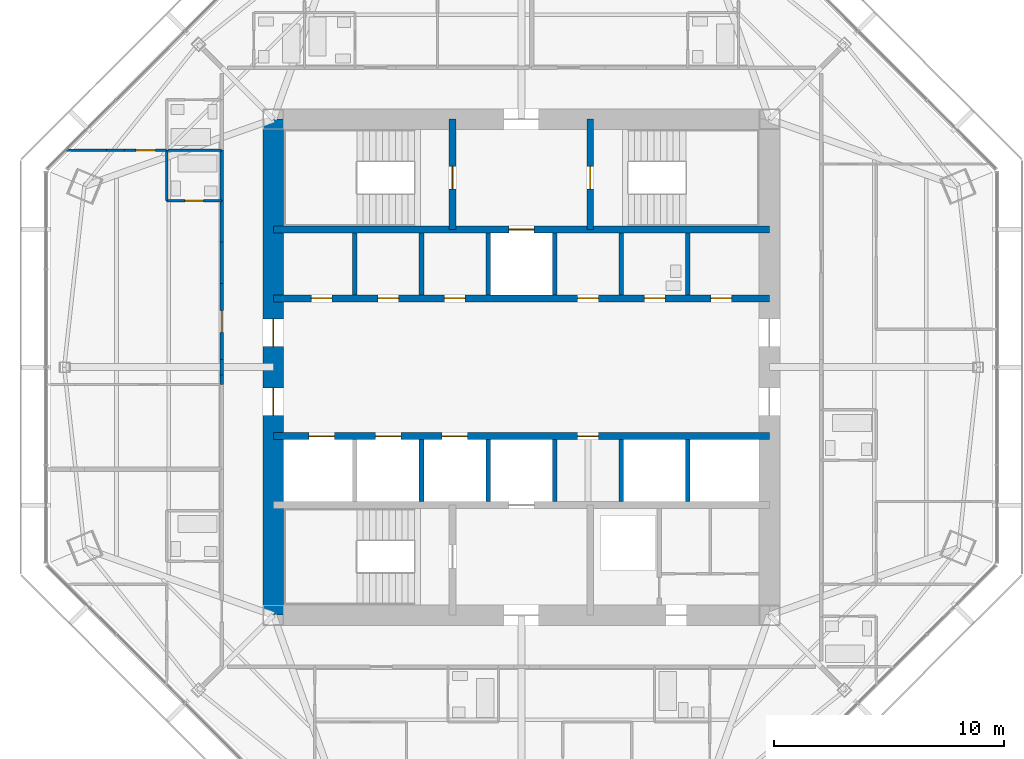
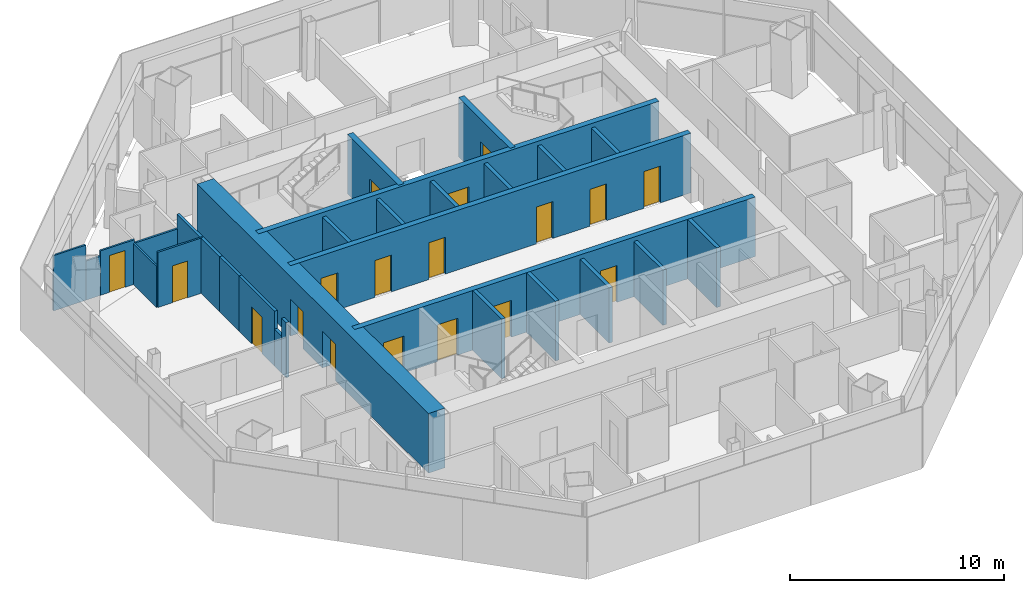
# One storey, part 10 of 15: 29 walls, 18 doors, 18 openings.
"""IFC4 building model written with IfcOpenShell, lengths in metres."""

from ifc_helpers import new_model, si_unit, direction, frame, frame_2d, origin, place, context, subcontext, project, spatial, rectangle, extrude, material, layer, layer_set, type_object, element, fill, save


model = new_model("IFC4")

# Units and contexts
model_context = context("Model", 3, precision=1e-05, world=origin(), true_north=direction((0.0, 1.0)))
body_context = subcontext(model_context, "Body", "Model", "MODEL_VIEW")
ifc_project = project(units=[si_unit("LENGTHUNIT", "METRE"), si_unit("AREAUNIT", "SQUARE_METRE"), si_unit("VOLUMEUNIT", "CUBIC_METRE"), si_unit("PLANEANGLEUNIT", "RADIAN"), si_unit("MASSUNIT", "GRAM", prefix="KILO")], contexts=[model_context])

# Site, building, storey
site_placement = place(None, origin())
site = spatial("IfcSite", under=ifc_project, at=site_placement, CompositionType="ELEMENT")
building_placement = place(site_placement, origin())
building = spatial("IfcBuilding", under=site, at=building_placement, Name="Mashrafa Tower", CompositionType="ELEMENT")
storey_placement = place(building_placement, frame((0.0, 0.0, 258.39990234375)))
storey = spatial("IfcBuildingStorey", under=building, at=storey_placement, Name="L62", CompositionType="ELEMENT", Elevation=258.39990234375)

# Wall, openings, doors
ifc_material_1 = material(Name="Concrete C50/60", Category="concrete")
ifc_layer_1 = layer(ifc_material_1, 0.300048828125)
ifc_layer_set_1 = layer_set([ifc_layer_1], Name="Core wall 300 C50/60")
wall_type_1 = type_object("IfcWallType", Name="Core wall 300 C50/60", PredefinedType="SOLIDWALL", material=ifc_layer_set_1)
wall_1_placement = place(storey_placement, frame((-10.800048828125, 3.0, 0.0), z_axis=(0.0, 0.0, 1.0), x_axis=(1.0, 0.0, 0.0)))
wall_1 = element("IfcWall", 1, at=wall_1_placement, inside=storey, type_object=wall_type_1, Name="Core wall CH-N L62", PredefinedType="SOLIDWALL", context=body_context, shape_type="SweptSolid", body=[
    extrude(rectangle(XDim=21.60009765625, YDim=0.300048828125, at=frame_2d((10.800048828125, 0.0))), origin(), (0.0, 0.0, 1.0), 3.400146484375),
])
opening_1_placement = place(wall_1_placement, frame((1.64990234375, 0.0, 0.0)))
opening_1 = element("IfcOpeningElement", 2, at=opening_1_placement, cuts=wall_1, Name="Opening 62.044", PredefinedType="OPENING", context=body_context, shape_type="SweptSolid", body=[
    extrude(rectangle(XDim=0.89990234375, YDim=2.10009765625, at=frame_2d((0.449951171875, 1.050048828125))), frame((0.0, 0.159912109375, 0.0), z_axis=(0.0, -1.0, 0.0), x_axis=(1.0, 0.0, 0.0)), (0.0, 0.0, 1.0), 0.320068359375),
])
opening_2_placement = place(wall_1_placement, frame((13.25, 0.0, 0.0)))
opening_2 = element("IfcOpeningElement", 3, at=opening_2_placement, cuts=wall_1, Name="Opening 62.045", PredefinedType="OPENING", context=body_context, shape_type="SweptSolid", body=[
    extrude(rectangle(XDim=0.89990234375, YDim=2.10009765625, at=frame_2d((0.449951171875, 1.050048828125))), frame((0.0, 0.159912109375, 0.0), z_axis=(0.0, -1.0, 0.0), x_axis=(1.0, 0.0, 0.0)), (0.0, 0.0, 1.0), 0.320068359375),
])
opening_3_placement = place(wall_1_placement, frame((16.14990234375, 0.0, 0.0)))
opening_3 = element("IfcOpeningElement", 4, at=opening_3_placement, cuts=wall_1, Name="Opening 62.046", PredefinedType="OPENING", context=body_context, shape_type="SweptSolid", body=[
    extrude(rectangle(XDim=0.89990234375, YDim=2.10009765625, at=frame_2d((0.449951171875, 1.050048828125))), frame((0.0, 0.159912109375, 0.0), z_axis=(0.0, -1.0, 0.0), x_axis=(1.0, 0.0, 0.0)), (0.0, 0.0, 1.0), 0.320068359375),
])
opening_4_placement = place(wall_1_placement, frame((4.550048828125, 0.0, 0.0)))
opening_4 = element("IfcOpeningElement", 5, at=opening_4_placement, cuts=wall_1, Name="Opening 62.048", PredefinedType="OPENING", context=body_context, shape_type="SweptSolid", body=[
    extrude(rectangle(XDim=0.89990234375, YDim=2.10009765625, at=frame_2d((0.449951171875, 1.050048828125))), frame((0.0, 0.159912109375, 0.0), z_axis=(0.0, -1.0, 0.0), x_axis=(1.0, 0.0, 0.0)), (0.0, 0.0, 1.0), 0.320068359375),
])
opening_5_placement = place(wall_1_placement, frame((7.449951171875, 0.0, 0.0)))
opening_5 = element("IfcOpeningElement", 6, at=opening_5_placement, cuts=wall_1, Name="Opening 62.049", PredefinedType="OPENING", context=body_context, shape_type="SweptSolid", body=[
    extrude(rectangle(XDim=0.89990234375, YDim=2.10009765625, at=frame_2d((0.449951171875, 1.050048828125))), frame((0.0, 0.159912109375, 0.0), z_axis=(0.0, -1.0, 0.0), x_axis=(1.0, 0.0, 0.0)), (0.0, 0.0, 1.0), 0.320068359375),
])
opening_6_placement = place(wall_1_placement, frame((19.050048828125, 0.0, 0.0)))
opening_6 = element("IfcOpeningElement", 7, at=opening_6_placement, cuts=wall_1, Name="Opening 62.050", PredefinedType="OPENING", context=body_context, shape_type="SweptSolid", body=[
    extrude(rectangle(XDim=0.89990234375, YDim=2.10009765625, at=frame_2d((0.449951171875, 1.050048828125))), frame((0.0, 0.159912109375, 0.0), z_axis=(0.0, -1.0, 0.0), x_axis=(1.0, 0.0, 0.0)), (0.0, 0.0, 1.0), 0.320068359375),
])
ifc_material_2 = material(Name="Timber door", Category="wood")
door_type_1 = type_object("IfcDoorType", Name="Store door 900 x 2100", OperationType="USERDEFINED", PredefinedType="DOOR", material=ifc_material_2)
door_1_placement = place(opening_1_placement, origin())
door_1 = element("IfcDoor", 8, at=door_1_placement, inside=storey, type_object=door_type_1, Name="Refuse Chute Room L62 door", OperationType="SINGLE_SWING_RIGHT", OverallHeight=2.10009765625, OverallWidth=0.89990234375, PredefinedType="DOOR", context=body_context, shape_type="SweptSolid", body=[
    extrude(rectangle(XDim=0.89990234375, YDim=2.10009765625, at=frame_2d((0.449951171875, 1.050048828125))), frame((0.0, 0.02490234375, 0.0), z_axis=(0.0, -1.0, 0.0), x_axis=(1.0, 0.0, 0.0)), (0.0, 0.0, 1.0), 0.050048828125),
])
fill(opening_1, door_1)
door_2_placement = place(opening_2_placement, origin())
door_2 = element("IfcDoor", 9, at=door_2_placement, inside=storey, type_object=door_type_1, Name="Cleaner's Store L62 door", OperationType="SINGLE_SWING_LEFT", OverallHeight=2.10009765625, OverallWidth=0.89990234375, PredefinedType="DOOR", context=body_context, shape_type="SweptSolid", body=[
    extrude(rectangle(XDim=0.89990234375, YDim=2.10009765625, at=frame_2d((0.449951171875, 1.050048828125))), frame((0.0, 0.02490234375, 0.0), z_axis=(0.0, -1.0, 0.0), x_axis=(1.0, 0.0, 0.0)), (0.0, 0.0, 1.0), 0.050048828125),
])
fill(opening_2, door_2)
door_3_placement = place(opening_4_placement, origin())
door_3 = element("IfcDoor", 10, at=door_3_placement, inside=storey, type_object=door_type_1, Name="Residents' Store L62-A2 door", OperationType="SINGLE_SWING_LEFT", OverallHeight=2.10009765625, OverallWidth=0.89990234375, PredefinedType="DOOR", context=body_context, shape_type="SweptSolid", body=[
    extrude(rectangle(XDim=0.89990234375, YDim=2.10009765625, at=frame_2d((0.449951171875, 1.050048828125))), frame((0.0, 0.02490234375, 0.0), z_axis=(0.0, -1.0, 0.0), x_axis=(1.0, 0.0, 0.0)), (0.0, 0.0, 1.0), 0.050048828125),
])
fill(opening_4, door_3)
door_4_placement = place(opening_5_placement, origin())
door_4 = element("IfcDoor", 11, at=door_4_placement, inside=storey, type_object=door_type_1, Name="Residents' Store L62-A3 door", OperationType="SINGLE_SWING_LEFT", OverallHeight=2.10009765625, OverallWidth=0.89990234375, PredefinedType="DOOR", context=body_context, shape_type="SweptSolid", body=[
    extrude(rectangle(XDim=0.89990234375, YDim=2.10009765625, at=frame_2d((0.449951171875, 1.050048828125))), frame((0.0, 0.02490234375, 0.0), z_axis=(0.0, -1.0, 0.0), x_axis=(1.0, 0.0, 0.0)), (0.0, 0.0, 1.0), 0.050048828125),
])
fill(opening_5, door_4)
door_5_placement = place(opening_6_placement, origin())
door_5 = element("IfcDoor", 12, at=door_5_placement, inside=storey, type_object=door_type_1, Name="Residents' Store L62-K2 door", OperationType="SINGLE_SWING_LEFT", OverallHeight=2.10009765625, OverallWidth=0.89990234375, PredefinedType="DOOR", context=body_context, shape_type="SweptSolid", body=[
    extrude(rectangle(XDim=0.89990234375, YDim=2.10009765625, at=frame_2d((0.449951171875, 1.050048828125))), frame((0.0, 0.02490234375, 0.0), z_axis=(0.0, -1.0, 0.0), x_axis=(1.0, 0.0, 0.0)), (0.0, 0.0, 1.0), 0.050048828125),
])
fill(opening_6, door_5)
ifc_material_3 = material(Name="Timber door", Category="wood")
door_type_2 = type_object("IfcDoorType", Name="Toilet door 900 x 2100", OperationType="USERDEFINED", PredefinedType="DOOR", material=ifc_material_3)
door_6_placement = place(opening_3_placement, origin())
door_6 = element("IfcDoor", 13, at=door_6_placement, inside=storey, type_object=door_type_2, Name="Staff WC L62 door", OperationType="SINGLE_SWING_LEFT", OverallHeight=2.10009765625, OverallWidth=0.89990234375, PredefinedType="DOOR", context=body_context, shape_type="SweptSolid", body=[
    extrude(rectangle(XDim=0.89990234375, YDim=2.10009765625, at=frame_2d((0.449951171875, 1.050048828125))), frame((0.0, 0.02490234375, 0.0), z_axis=(0.0, -1.0, 0.0), x_axis=(1.0, 0.0, 0.0)), (0.0, 0.0, 1.0), 0.050048828125),
])
fill(opening_3, door_6)

# Wall, opening, door
wall_2_placement = place(storey_placement, frame((-10.800048828125, 6.0, 0.0), z_axis=(0.0, 0.0, 1.0), x_axis=(1.0, 0.0, 0.0)))
wall_2 = element("IfcWall", 14, at=wall_2_placement, inside=storey, type_object=wall_type_1, Name="Core wall CB-N L62", PredefinedType="SOLIDWALL", context=body_context, shape_type="SweptSolid", body=[
    extrude(rectangle(XDim=21.60009765625, YDim=0.300048828125, at=frame_2d((10.800048828125, 0.0))), origin(), (0.0, 0.0, 1.0), 3.400146484375),
])
opening_7_placement = place(wall_2_placement, frame((10.25, 0.0, 0.0)))
opening_7 = element("IfcOpeningElement", 15, at=opening_7_placement, cuts=wall_2, Name="Opening 62.F1", PredefinedType="OPENING", context=body_context, shape_type="SweptSolid", body=[
    extrude(rectangle(XDim=1.10009765625, YDim=2.10009765625, at=frame_2d((0.550048828125, 1.050048828125))), frame((0.0, 0.159912109375, 0.0), z_axis=(0.0, -1.0, 0.0), x_axis=(1.0, 0.0, 0.0)), (0.0, 0.0, 1.0), 0.320068359375),
])
ifc_material_4 = material(Name="Steel door", Category="steel")
door_type_3 = type_object("IfcDoorType", Name="Lift landing door 1100 x 2100 90 min", OperationType="DOUBLE_DOOR_SLIDING", PredefinedType="DOOR", material=ifc_material_4)
door_7_placement = place(opening_7_placement, origin())
door_7 = element("IfcDoor", 16, at=door_7_placement, inside=storey, type_object=door_type_3, Name="Lift landing door F1 L62", OperationType="DOUBLE_DOOR_SLIDING", OverallHeight=2.10009765625, OverallWidth=1.10009765625, PredefinedType="DOOR", context=body_context, shape_type="SweptSolid", body=[
    extrude(rectangle(XDim=1.10009765625, YDim=2.10009765625, at=frame_2d((0.550048828125, 1.050048828125))), frame((0.0, 0.02490234375, 0.0), z_axis=(0.0, -1.0, 0.0), x_axis=(1.0, 0.0, 0.0)), (0.0, 0.0, 1.0), 0.050048828125),
])
fill(opening_7, door_7)

wall_3_placement = place(storey_placement, frame((-3.0, 6.0, 0.0), z_axis=(0.0, 0.0, 1.0), x_axis=(0.0, 1.0, 0.0)))
wall_3 = element("IfcWall", 17, at=wall_3_placement, inside=storey, type_object=wall_type_1, Name="Core wall CX-NW L62", PredefinedType="SOLIDWALL", context=body_context, shape_type="SweptSolid", body=[
    extrude(rectangle(XDim=4.800048828125, YDim=0.300048828125, at=frame_2d((2.39990234375, 0.0))), origin(), (0.0, 0.0, 1.0), 3.400146484375),
])
opening_8_placement = place(wall_3_placement, frame((1.75, 0.0, 0.0)))
opening_8 = element("IfcOpeningElement", 18, at=opening_8_placement, cuts=wall_3, Name="Opening 62.037", PredefinedType="OPENING", context=body_context, shape_type="SweptSolid", body=[
    extrude(rectangle(XDim=1.0, YDim=2.10009765625, at=frame_2d((0.5, 1.050048828125))), frame((0.0, 0.159912109375, 0.0), z_axis=(0.0, -1.0, 0.0), x_axis=(1.0, 0.0, 0.0)), (0.0, 0.0, 1.0), 0.320068359375),
])
ifc_material_5 = material(Name="Steel door", Category="steel")
door_type_4 = type_object("IfcDoorType", Name="Stair door 1000 x 2100 90 min", OperationType="USERDEFINED", PredefinedType="DOOR", material=ifc_material_5)
door_8_placement = place(opening_8_placement, origin())
door_8 = element("IfcDoor", 19, at=door_8_placement, inside=storey, type_object=door_type_4, Name="Stair S1 door L62", OperationType="SINGLE_SWING_LEFT", OverallHeight=2.10009765625, OverallWidth=1.0, PredefinedType="DOOR", context=body_context, shape_type="SweptSolid", body=[
    extrude(rectangle(XDim=1.0, YDim=2.10009765625, at=frame_2d((0.5, 1.050048828125))), frame((0.0, 0.02490234375, 0.0), z_axis=(0.0, -1.0, 0.0), x_axis=(1.0, 0.0, 0.0)), (0.0, 0.0, 1.0), 0.050048828125),
])
fill(opening_8, door_8)

wall_4_placement = place(storey_placement, frame((3.0, 6.0, 0.0), z_axis=(0.0, 0.0, 1.0), x_axis=(0.0, 1.0, 0.0)))
wall_4 = element("IfcWall", 20, at=wall_4_placement, inside=storey, type_object=wall_type_1, Name="Core wall CX-NE L62", PredefinedType="SOLIDWALL", context=body_context, shape_type="SweptSolid", body=[
    extrude(rectangle(XDim=4.800048828125, YDim=0.300048828125, at=frame_2d((2.39990234375, 0.0))), origin(), (0.0, 0.0, 1.0), 3.400146484375),
])
opening_9_placement = place(wall_4_placement, frame((1.75, 0.0, 0.0)))
opening_9 = element("IfcOpeningElement", 21, at=opening_9_placement, cuts=wall_4, Name="Opening 62.038", PredefinedType="OPENING", context=body_context, shape_type="SweptSolid", body=[
    extrude(rectangle(XDim=1.0, YDim=2.10009765625, at=frame_2d((0.5, 1.050048828125))), frame((0.0, 0.159912109375, 0.0), z_axis=(0.0, -1.0, 0.0), x_axis=(1.0, 0.0, 0.0)), (0.0, 0.0, 1.0), 0.320068359375),
])
door_9_placement = place(opening_9_placement, frame((1.0, 0.0, 0.0), z_axis=(0.0, 0.0, 1.0), x_axis=(-1.0, 0.0, 0.0)))
door_9 = element("IfcDoor", 22, at=door_9_placement, inside=storey, type_object=door_type_4, Name="Stair S2 door L62", OperationType="SINGLE_SWING_RIGHT", OverallHeight=2.10009765625, OverallWidth=1.0, PredefinedType="DOOR", context=body_context, shape_type="SweptSolid", body=[
    extrude(rectangle(XDim=1.0, YDim=2.10009765625, at=frame_2d((0.5, 1.050048828125))), frame((0.0, 0.02490234375, 0.0), z_axis=(0.0, -1.0, 0.0), x_axis=(1.0, 0.0, 0.0)), (0.0, 0.0, 1.0), 0.050048828125),
])
fill(opening_9, door_9)

# Wall, openings, doors
wall_5_placement = place(storey_placement, frame((-10.800048828125, -3.0, 0.0), z_axis=(0.0, 0.0, 1.0), x_axis=(1.0, 0.0, 0.0)))
wall_5 = element("IfcWall", 23, at=wall_5_placement, inside=storey, type_object=wall_type_1, Name="Core wall CH-S L62", PredefinedType="SOLIDWALL", context=body_context, shape_type="SweptSolid", body=[
    extrude(rectangle(XDim=21.60009765625, YDim=0.300048828125, at=frame_2d((10.800048828125, 0.0))), origin(), (0.0, 0.0, 1.0), 3.400146484375),
])
opening_10_placement = place(wall_5_placement, frame((13.25, 0.0, 0.0)))
opening_10 = element("IfcOpeningElement", 24, at=opening_10_placement, cuts=wall_5, Name="Opening 62.047", PredefinedType="OPENING", context=body_context, shape_type="SweptSolid", body=[
    extrude(rectangle(XDim=0.89990234375, YDim=2.10009765625, at=frame_2d((0.449951171875, 1.050048828125))), frame((0.0, 0.159912109375, 0.0), z_axis=(0.0, -1.0, 0.0), x_axis=(1.0, 0.0, 0.0)), (0.0, 0.0, 1.0), 0.320068359375),
])
opening_11_placement = place(wall_5_placement, frame((1.550048828125, 0.0, 0.0)))
opening_11 = element("IfcOpeningElement", 25, at=opening_11_placement, cuts=wall_5, Name="Opening 62.AL1", PredefinedType="OPENING", context=body_context, shape_type="SweptSolid", body=[
    extrude(rectangle(XDim=1.10009765625, YDim=2.10009765625, at=frame_2d((0.550048828125, 1.050048828125))), frame((0.0, 0.159912109375, 0.0), z_axis=(0.0, -1.0, 0.0), x_axis=(1.0, 0.0, 0.0)), (0.0, 0.0, 1.0), 0.320068359375),
])
opening_12_placement = place(wall_5_placement, frame((4.449951171875, 0.0, 0.0)))
opening_12 = element("IfcOpeningElement", 26, at=opening_12_placement, cuts=wall_5, Name="Opening 62.AL2", PredefinedType="OPENING", context=body_context, shape_type="SweptSolid", body=[
    extrude(rectangle(XDim=1.10009765625, YDim=2.10009765625, at=frame_2d((0.550048828125, 1.050048828125))), frame((0.0, 0.159912109375, 0.0), z_axis=(0.0, -1.0, 0.0), x_axis=(1.0, 0.0, 0.0)), (0.0, 0.0, 1.0), 0.320068359375),
])
opening_13_placement = place(wall_5_placement, frame((7.35009765625, 0.0, 0.0)))
opening_13 = element("IfcOpeningElement", 27, at=opening_13_placement, cuts=wall_5, Name="Opening 62.AL3", PredefinedType="OPENING", context=body_context, shape_type="SweptSolid", body=[
    extrude(rectangle(XDim=1.10009765625, YDim=2.10009765625, at=frame_2d((0.550048828125, 1.050048828125))), frame((0.0, 0.159912109375, 0.0), z_axis=(0.0, -1.0, 0.0), x_axis=(1.0, 0.0, 0.0)), (0.0, 0.0, 1.0), 0.320068359375),
])
door_10_placement = place(opening_11_placement, origin())
door_10 = element("IfcDoor", 28, at=door_10_placement, inside=storey, type_object=door_type_3, Name="Lift landing door AL1 L62", OperationType="DOUBLE_DOOR_SLIDING", OverallHeight=2.10009765625, OverallWidth=1.10009765625, PredefinedType="DOOR", context=body_context, shape_type="SweptSolid", body=[
    extrude(rectangle(XDim=1.10009765625, YDim=2.10009765625, at=frame_2d((0.550048828125, 1.050048828125))), frame((0.0, 0.02490234375, 0.0), z_axis=(0.0, -1.0, 0.0), x_axis=(1.0, 0.0, 0.0)), (0.0, 0.0, 1.0), 0.050048828125),
])
fill(opening_11, door_10)
door_11_placement = place(opening_12_placement, origin())
door_11 = element("IfcDoor", 29, at=door_11_placement, inside=storey, type_object=door_type_3, Name="Lift landing door AL2 L62", OperationType="DOUBLE_DOOR_SLIDING", OverallHeight=2.10009765625, OverallWidth=1.10009765625, PredefinedType="DOOR", context=body_context, shape_type="SweptSolid", body=[
    extrude(rectangle(XDim=1.10009765625, YDim=2.10009765625, at=frame_2d((0.550048828125, 1.050048828125))), frame((0.0, 0.02490234375, 0.0), z_axis=(0.0, -1.0, 0.0), x_axis=(1.0, 0.0, 0.0)), (0.0, 0.0, 1.0), 0.050048828125),
])
fill(opening_12, door_11)
door_12_placement = place(opening_13_placement, origin())
door_12 = element("IfcDoor", 30, at=door_12_placement, inside=storey, type_object=door_type_3, Name="Lift landing door AL3 L62", OperationType="DOUBLE_DOOR_SLIDING", OverallHeight=2.10009765625, OverallWidth=1.10009765625, PredefinedType="DOOR", context=body_context, shape_type="SweptSolid", body=[
    extrude(rectangle(XDim=1.10009765625, YDim=2.10009765625, at=frame_2d((0.550048828125, 1.050048828125))), frame((0.0, 0.02490234375, 0.0), z_axis=(0.0, -1.0, 0.0), x_axis=(1.0, 0.0, 0.0)), (0.0, 0.0, 1.0), 0.050048828125),
])
fill(opening_13, door_12)
door_13_placement = place(opening_10_placement, frame((0.89990234375, 0.0, 0.0), z_axis=(0.0, 0.0, 1.0), x_axis=(-1.0, 0.0, 0.0)))
door_13 = element("IfcDoor", 31, at=door_13_placement, inside=storey, type_object=door_type_1, Name="Linen Store L62 door", OperationType="SINGLE_SWING_RIGHT", OverallHeight=2.10009765625, OverallWidth=0.89990234375, PredefinedType="DOOR", context=body_context, shape_type="SweptSolid", body=[
    extrude(rectangle(XDim=0.89990234375, YDim=2.10009765625, at=frame_2d((0.449951171875, 1.050048828125))), frame((0.0, 0.02490234375, 0.0), z_axis=(0.0, -1.0, 0.0), x_axis=(1.0, 0.0, 0.0)), (0.0, 0.0, 1.0), 0.050048828125),
])
fill(opening_10, door_13)

ifc_material_6 = material(Name="Concrete C50/60", Category="concrete")
ifc_layer_2 = layer(ifc_material_6, 0.89990234375)
ifc_layer_set_2 = layer_set([ifc_layer_2], Name="Core wall 900 C50/60")
wall_type_2 = type_object("IfcWallType", Name="Core wall 900 C50/60", PredefinedType="SOLIDWALL", material=ifc_layer_set_2)
wall_6_placement = place(storey_placement, frame((-10.800048828125, 10.800048828125, 0.0), z_axis=(0.0, 0.0, 1.0), x_axis=(0.0, -1.0, 0.0)))
wall_6 = element("IfcWall", 32, at=wall_6_placement, inside=storey, type_object=wall_type_2, Name="Core wall CW-W L62", PredefinedType="SOLIDWALL", context=body_context, shape_type="SweptSolid", body=[
    extrude(rectangle(XDim=21.60009765625, YDim=0.89990234375, at=frame_2d((10.800048828125, 0.0))), origin(), (0.0, 0.0, 1.0), 3.400146484375),
])
opening_14_placement = place(wall_6_placement, frame((8.699951171875, 0.0, 0.0)))
opening_14 = element("IfcOpeningElement", 33, at=opening_14_placement, cuts=wall_6, Name="Opening 62.032", PredefinedType="OPENING", context=body_context, shape_type="SweptSolid", body=[
    extrude(rectangle(XDim=1.199951171875, YDim=2.10009765625, at=frame_2d((0.60009765625, 1.050048828125))), frame((0.0, 0.4599609375, 0.0), z_axis=(0.0, -1.0, 0.0), x_axis=(1.0, 0.0, 0.0)), (0.0, 0.0, 1.0), 0.919921875),
])
opening_15_placement = place(wall_6_placement, frame((11.699951171875, 0.0, 0.0)))
opening_15 = element("IfcOpeningElement", 34, at=opening_15_placement, cuts=wall_6, Name="Opening 62.034", PredefinedType="OPENING", context=body_context, shape_type="SweptSolid", body=[
    extrude(rectangle(XDim=1.199951171875, YDim=2.10009765625, at=frame_2d((0.60009765625, 1.050048828125))), frame((0.0, 0.4599609375, 0.0), z_axis=(0.0, -1.0, 0.0), x_axis=(1.0, 0.0, 0.0)), (0.0, 0.0, 1.0), 0.919921875),
])
ifc_material_7 = material(Name="Steel door", Category="steel")
door_type_5 = type_object("IfcDoorType", Name="Lift hall door 1200 x 2100 90 min", OperationType="USERDEFINED", PredefinedType="DOOR", material=ifc_material_7)
door_14_placement = place(opening_14_placement, frame((1.199951171875, 0.0, 0.0), z_axis=(0.0, 0.0, 1.0), x_axis=(-1.0, 0.0, 0.0)))
door_14 = element("IfcDoor", 35, at=door_14_placement, inside=storey, type_object=door_type_5, Name="Lift hall door west L62", OperationType="SINGLE_SWING_RIGHT", OverallHeight=2.10009765625, OverallWidth=1.199951171875, PredefinedType="DOOR", context=body_context, shape_type="SweptSolid", body=[
    extrude(rectangle(XDim=1.199951171875, YDim=2.10009765625, at=frame_2d((0.60009765625, 1.050048828125))), frame((0.0, 0.02490234375, 0.0), z_axis=(0.0, -1.0, 0.0), x_axis=(1.0, 0.0, 0.0)), (0.0, 0.0, 1.0), 0.050048828125),
])
fill(opening_14, door_14)
door_15_placement = place(opening_15_placement, frame((1.199951171875, 0.0, 0.0), z_axis=(0.0, 0.0, 1.0), x_axis=(-1.0, 0.0, 0.0)))
door_15 = element("IfcDoor", 36, at=door_15_placement, inside=storey, type_object=door_type_5, Name="Lift hall door west L62", OperationType="SINGLE_SWING_LEFT", OverallHeight=2.10009765625, OverallWidth=1.199951171875, PredefinedType="DOOR", context=body_context, shape_type="SweptSolid", body=[
    extrude(rectangle(XDim=1.199951171875, YDim=2.10009765625, at=frame_2d((0.60009765625, 1.050048828125))), frame((0.0, 0.02490234375, 0.0), z_axis=(0.0, -1.0, 0.0), x_axis=(1.0, 0.0, 0.0)), (0.0, 0.0, 1.0), 0.050048828125),
])
fill(opening_15, door_15)

# Walls
ifc_material_8 = material(Name="Gypsum board on steel studs", Category="steel")
ifc_layer_3 = layer(ifc_material_8, 0.14990234375)
ifc_layer_set_3 = layer_set([ifc_layer_3], Name="Corridor partition 150 1 hr")
wall_type_3 = type_object("IfcWallType", Name="Corridor partition 150 1 hr", PredefinedType="PARTITIONING", material=ifc_layer_set_3)
wall_7_placement = place(storey_placement, frame((-13.050048828125, 9.450927734375, 0.0), z_axis=(0.0, 0.0, 1.0), x_axis=(0.0, -1.0, 0.0)))
element("IfcWall", 37, at=wall_7_placement, inside=storey, type_object=wall_type_3, Name="Corridor wall L62-024", PredefinedType="PARTITIONING", context=body_context, shape_type="SweptSolid", body=[
    extrude(rectangle(XDim=2.201904296875, YDim=0.14990234375, at=frame_2d((1.10107421875, 0.0))), origin(), (0.0, 0.0, 1.0), 3.150146484375),
])
wall_8_placement = place(storey_placement, frame((-13.050048828125, 5.450927734375, 0.0), z_axis=(0.0, 0.0, 1.0), x_axis=(0.0, -1.0, 0.0)))
element("IfcWall", 38, at=wall_8_placement, inside=storey, type_object=wall_type_3, Name="Corridor wall L62-025", PredefinedType="PARTITIONING", context=body_context, shape_type="SweptSolid", body=[
    extrude(rectangle(XDim=1.802001953125, YDim=0.14990234375, at=frame_2d((0.90087890625, 0.0))), origin(), (0.0, 0.0, 1.0), 3.150146484375),
])

# Wall, opening, door
wall_9_placement = place(storey_placement, frame((-13.050048828125, 3.65087890625, 0.0), z_axis=(0.0, 0.0, 1.0), x_axis=(0.0, -1.0, 0.0)))
wall_9 = element("IfcWall", 39, at=wall_9_placement, inside=storey, type_object=wall_type_3, Name="Corridor wall L62-027", PredefinedType="PARTITIONING", context=body_context, shape_type="SweptSolid", body=[
    extrude(rectangle(XDim=3.32080078125, YDim=0.14990234375, at=frame_2d((1.660400390625, 0.0))), origin(), (0.0, 0.0, 1.0), 3.150146484375),
])
opening_16_placement = place(wall_9_placement, frame((1.185546875, 0.0, 0.0)))
opening_16 = element("IfcOpeningElement", 40, at=opening_16_placement, cuts=wall_9, Name="Opening 62.020", PredefinedType="OPENING", context=body_context, shape_type="SweptSolid", body=[
    extrude(rectangle(XDim=0.949951171875, YDim=2.10009765625, at=frame_2d((0.47509765625, 1.050048828125))), frame((0.0, 0.0849609375, 0.0), z_axis=(0.0, -1.0, 0.0), x_axis=(1.0, 0.0, 0.0)), (0.0, 0.0, 1.0), 0.169921875),
])
ifc_material_9 = material(Name="Steel door", Category="steel")
door_type_6 = type_object("IfcDoorType", Name="Residence entrance door 950 x 2100 20 min", OperationType="USERDEFINED", PredefinedType="DOOR", material=ifc_material_9)
door_16_placement = place(opening_16_placement, frame((0.949951171875, 0.0, 0.0), z_axis=(0.0, 0.0, 1.0), x_axis=(-1.0, 0.0, 0.0)))
door_16 = element("IfcDoor", 41, at=door_16_placement, inside=storey, type_object=door_type_6, Name="Apartment 6204 Living Room door", OperationType="SINGLE_SWING_RIGHT", OverallHeight=2.10009765625, OverallWidth=0.949951171875, PredefinedType="DOOR", context=body_context, shape_type="SweptSolid", body=[
    extrude(rectangle(XDim=0.949951171875, YDim=2.10009765625, at=frame_2d((0.47509765625, 1.050048828125))), frame((0.0, 0.02490234375, 0.0), z_axis=(0.0, -1.0, 0.0), x_axis=(1.0, 0.0, 0.0)), (0.0, 0.0, 1.0), 0.050048828125),
])
fill(opening_16, door_16)

# Walls
wall_10_placement = place(storey_placement, frame((-13.050048828125, -0.330078125, 0.0), z_axis=(0.0, 0.0, 1.0), x_axis=(0.0, -1.0, 0.0)))
element("IfcWall", 42, at=wall_10_placement, inside=storey, type_object=wall_type_3, Name="Corridor wall L62-028", PredefinedType="PARTITIONING", context=body_context, shape_type="SweptSolid", body=[
    extrude(rectangle(XDim=0.4208984375, YDim=0.14990234375, at=frame_2d((0.21044921875, 0.0))), origin(), (0.0, 0.0, 1.0), 3.150146484375),
])
wall_11_placement = place(storey_placement, frame((-13.050048828125, 0.330078125, 0.0), z_axis=(0.0, 0.0, 1.0), x_axis=(0.0, -1.0, 0.0)))
element("IfcWall", 43, at=wall_11_placement, inside=storey, type_object=wall_type_3, Name="Corridor wall L62-029", PredefinedType="PARTITIONING", context=body_context, shape_type="SweptSolid", body=[
    extrude(rectangle(XDim=0.66015625, YDim=0.14990234375, at=frame_2d((0.330078125, 0.0))), origin(), (0.0, 0.0, 1.0), 2.130126953125),
])
wall_12_placement = place(storey_placement, frame((-13.050048828125, 7.2509765625, 0.0), z_axis=(0.0, 0.0, 1.0), x_axis=(0.0, -1.0, 0.0)))
element("IfcWall", 44, at=wall_12_placement, inside=storey, type_object=wall_type_3, Name="Corridor wall L62-030", PredefinedType="PARTITIONING", context=body_context, shape_type="SweptSolid", body=[
    extrude(rectangle(XDim=1.802001953125, YDim=0.14990234375, at=frame_2d((0.90087890625, 0.0))), origin(), (0.0, 0.0, 1.0), 3.150146484375),
])
ifc_material_10 = material(Name="Gypsum board on steel studs", Category="steel")
ifc_layer_4 = layer(ifc_material_10, 0.10009765625)
ifc_layer_set_4 = layer_set([ifc_layer_4], Name="Partition 100")
wall_type_4 = type_object("IfcWallType", Name="Partition 100", PredefinedType="PARTITIONING", material=ifc_layer_set_4)
wall_13_placement = place(storey_placement, frame((-15.449951171875, 9.449951171875, 0.0), z_axis=(0.0, 0.0, 1.0), x_axis=(1.0, 0.0, 0.0)))
element("IfcWall", 45, at=wall_13_placement, inside=storey, type_object=wall_type_4, Name="Partition wall L62-094", PredefinedType="PARTITIONING", context=body_context, shape_type="SweptSolid", body=[
    extrude(rectangle(XDim=2.39990234375, YDim=0.10009765625, at=frame_2d((1.199951171875, 0.0))), origin(), (0.0, 0.0, 1.0), 2.340087890625),
])
wall_14_placement = place(storey_placement, frame((-19.807373046875, 9.449951171875, 0.0), z_axis=(0.0, 0.0, 1.0), x_axis=(1.0, 0.0, 0.0)))
element("IfcWall", 46, at=wall_14_placement, inside=storey, type_object=wall_type_4, Name="Partition wall L62-095", PredefinedType="PARTITIONING", context=body_context, shape_type="SweptSolid", body=[
    extrude(rectangle(XDim=1.7451171875, YDim=0.10009765625, at=frame_2d((0.87255859375, 0.0))), origin(), (0.0, 0.0, 1.0), 3.150146484375),
])

# Wall, opening, door
wall_15_placement = place(storey_placement, frame((-17.281494140625, 9.449951171875, 0.0), z_axis=(0.0, 0.0, 1.0), x_axis=(1.0, 0.0, 0.0)))
wall_15 = element("IfcWall", 47, at=wall_15_placement, inside=storey, type_object=wall_type_4, Name="Partition wall L62-096", PredefinedType="PARTITIONING", context=body_context, shape_type="SweptSolid", body=[
    extrude(rectangle(XDim=1.83154296875, YDim=0.10009765625, at=frame_2d((0.915771484375, 0.0))), origin(), (0.0, 0.0, 1.0), 2.5380859375),
])
opening_17_placement = place(wall_15_placement, frame((0.49072265625, 0.0, 0.0)))
opening_17 = element("IfcOpeningElement", 48, at=opening_17_placement, cuts=wall_15, Name="Opening 62.017", PredefinedType="OPENING", context=body_context, shape_type="SweptSolid", body=[
    extrude(rectangle(XDim=0.85009765625, YDim=2.10009765625, at=frame_2d((0.425048828125, 1.050048828125))), frame((0.0, 0.06005859375, 0.0), z_axis=(0.0, -1.0, 0.0), x_axis=(1.0, 0.0, 0.0)), (0.0, 0.0, 1.0), 0.1201171875),
])
ifc_material_11 = material(Name="Timber door", Category="wood")
door_type_7 = type_object("IfcDoorType", Name="Bedroom door 850 x 2100", OperationType="USERDEFINED", PredefinedType="DOOR", material=ifc_material_11)
door_17_placement = place(opening_17_placement, origin())
door_17 = element("IfcDoor", 49, at=door_17_placement, inside=storey, type_object=door_type_7, Name="Apartment 6204 Bedroom 1 door", OperationType="SINGLE_SWING_RIGHT", OverallHeight=2.10009765625, OverallWidth=0.85009765625, PredefinedType="DOOR", context=body_context, shape_type="SweptSolid", body=[
    extrude(rectangle(XDim=0.85009765625, YDim=2.10009765625, at=frame_2d((0.425048828125, 1.050048828125))), frame((0.0, 0.02490234375, 0.0), z_axis=(0.0, -1.0, 0.0), x_axis=(1.0, 0.0, 0.0)), (0.0, 0.0, 1.0), 0.050048828125),
])
fill(opening_17, door_17)

# Walls
wall_16_placement = place(storey_placement, frame((-18.062255859375, 9.449951171875, 0.0), z_axis=(0.0, 0.0, 1.0), x_axis=(1.0, 0.0, 0.0)))
element("IfcWall", 50, at=wall_16_placement, inside=storey, type_object=wall_type_4, Name="Partition wall L62-097", PredefinedType="PARTITIONING", context=body_context, shape_type="SweptSolid", body=[
    extrude(rectangle(XDim=0.78076171875, YDim=0.10009765625, at=frame_2d((0.390380859375, 0.0))), origin(), (0.0, 0.0, 1.0), 2.22998046875),
])
wall_17_placement = place(storey_placement, frame((-15.449951171875, 9.449951171875, 0.0), z_axis=(0.0, 0.0, 1.0), x_axis=(0.0, -1.0, 0.0)))
element("IfcWall", 51, at=wall_17_placement, inside=storey, type_object=wall_type_4, Name="Partition wall L62-098", PredefinedType="PARTITIONING", context=body_context, shape_type="SweptSolid", body=[
    extrude(rectangle(XDim=2.199951171875, YDim=0.10009765625, at=frame_2d((1.10009765625, 0.0))), origin(), (0.0, 0.0, 1.0), 2.340087890625),
])

# Wall, opening, door
wall_18_placement = place(storey_placement, frame((-15.449951171875, 7.25, 0.0), z_axis=(0.0, 0.0, 1.0), x_axis=(1.0, 0.0, 0.0)))
wall_18 = element("IfcWall", 52, at=wall_18_placement, inside=storey, type_object=wall_type_4, Name="Partition wall L62-099", PredefinedType="PARTITIONING", context=body_context, shape_type="SweptSolid", body=[
    extrude(rectangle(XDim=2.39990234375, YDim=0.10009765625, at=frame_2d((1.199951171875, 0.0))), origin(), (0.0, 0.0, 1.0), 3.150146484375),
])
opening_18_placement = place(wall_18_placement, frame((0.800048828125, 0.0, 0.0)))
opening_18 = element("IfcOpeningElement", 53, at=opening_18_placement, cuts=wall_18, Name="Opening 62.018", PredefinedType="OPENING", context=body_context, shape_type="SweptSolid", body=[
    extrude(rectangle(XDim=0.800048828125, YDim=2.10009765625, at=frame_2d((0.39990234375, 1.050048828125))), frame((0.0, 0.06005859375, 0.0), z_axis=(0.0, -1.0, 0.0), x_axis=(1.0, 0.0, 0.0)), (0.0, 0.0, 1.0), 0.1201171875),
])
ifc_material_12 = material(Name="Timber door", Category="wood")
door_type_8 = type_object("IfcDoorType", Name="Bathroom door 800 x 2100", OperationType="USERDEFINED", PredefinedType="DOOR", material=ifc_material_12)
door_18_placement = place(opening_18_placement, origin())
door_18 = element("IfcDoor", 54, at=door_18_placement, inside=storey, type_object=door_type_8, Name="Apartment 6204 Bathroom door", OperationType="SINGLE_SWING_RIGHT", OverallHeight=2.10009765625, OverallWidth=0.800048828125, PredefinedType="DOOR", context=body_context, shape_type="SweptSolid", body=[
    extrude(rectangle(XDim=0.800048828125, YDim=2.10009765625, at=frame_2d((0.39990234375, 1.050048828125))), frame((0.0, 0.02490234375, 0.0), z_axis=(0.0, -1.0, 0.0), x_axis=(1.0, 0.0, 0.0)), (0.0, 0.0, 1.0), 0.050048828125),
])
fill(opening_18, door_18)

# Walls
ifc_material_13 = material(Name="Gypsum shaft wall on steel studs", Category="steel")
ifc_layer_5 = layer(ifc_material_13, 0.199951171875)
ifc_layer_set_5 = layer_set([ifc_layer_5], Name="Shaft divider wall 200 2 hr")
wall_type_5 = type_object("IfcWallType", Name="Shaft divider wall 200 2 hr", PredefinedType="PARTITIONING", material=ifc_layer_set_5)
for number, where, z_axis, x_axis, name in (
    (55, (-7.25, 3.14990234375, 0.0), (0.0, 0.0, 1.0), (0.0, 1.0, 0.0), "Shaft divider wall N1 L62"),
    (56, (-4.35009765625, 3.14990234375, 0.0), (0.0, 0.0, 1.0), (0.0, 1.0, 0.0), "Shaft divider wall N2 L62"),
    (57, (-1.449951171875, 3.14990234375, 0.0), (0.0, 0.0, 1.0), (0.0, 1.0, 0.0), "Shaft divider wall N3 L62"),
    (58, (1.449951171875, 3.14990234375, 0.0), (0.0, 0.0, 1.0), (0.0, 1.0, 0.0), "Shaft divider wall N4 L62"),
    (59, (4.35009765625, 3.14990234375, 0.0), (0.0, 0.0, 1.0), (0.0, 1.0, 0.0), "Shaft divider wall N5 L62"),
    (60, (7.25, 3.14990234375, 0.0), (0.0, 0.0, 1.0), (0.0, 1.0, 0.0), "Shaft divider wall N6 L62"),
):
    element("IfcWall", number, at=place(storey_placement, frame(where, z_axis=z_axis, x_axis=x_axis)), inside=storey, type_object=wall_type_5, Name=name, PredefinedType="PARTITIONING", context=body_context, shape_type="SweptSolid", body=[
        extrude(rectangle(XDim=2.7001953125, YDim=0.199951171875, at=frame_2d((1.35009765625, 0.0))), origin(), (0.0, 0.0, 1.0), 3.150146484375),
    ])
for number, where, z_axis, x_axis, name in (
    (61, (-4.35009765625, -5.85009765625, 0.0), (0.0, 0.0, 1.0), (0.0, 1.0, 0.0), "Shaft divider wall S2 L62"),
    (62, (-1.449951171875, -5.85009765625, 0.0), (0.0, 0.0, 1.0), (0.0, 1.0, 0.0), "Shaft divider wall S3 L62"),
):
    element("IfcWall", number, at=place(storey_placement, frame(where, z_axis=z_axis, x_axis=x_axis)), inside=storey, type_object=wall_type_5, Name=name, PredefinedType="PARTITIONING", context=body_context, shape_type="SweptSolid", body=[
        extrude(rectangle(XDim=2.7001953125, YDim=0.199951171875, at=frame_2d((1.35009765625, 0.0))), origin(), (0.0, 0.0, 1.0), 3.400146484375),
    ])
for number, where, z_axis, x_axis, name in (
    (63, (1.449951171875, -5.85009765625, 0.0), (0.0, 0.0, 1.0), (0.0, 1.0, 0.0), "Shaft divider wall S4 L62"),
    (64, (4.35009765625, -5.85009765625, 0.0), (0.0, 0.0, 1.0), (0.0, 1.0, 0.0), "Shaft divider wall S5 L62"),
):
    element("IfcWall", number, at=place(storey_placement, frame(where, z_axis=z_axis, x_axis=x_axis)), inside=storey, type_object=wall_type_5, Name=name, PredefinedType="PARTITIONING", context=body_context, shape_type="SweptSolid", body=[
        extrude(rectangle(XDim=2.7001953125, YDim=0.199951171875, at=frame_2d((1.35009765625, 0.0))), origin(), (0.0, 0.0, 1.0), 3.150146484375),
    ])
wall_19_placement = place(storey_placement, frame((7.25, -5.85009765625, 0.0), z_axis=(0.0, 0.0, 1.0), x_axis=(0.0, 1.0, 0.0)))
element("IfcWall", 65, at=wall_19_placement, inside=storey, type_object=wall_type_5, Name="Shaft divider wall S6 L62", PredefinedType="PARTITIONING", context=body_context, shape_type="SweptSolid", body=[
    extrude(rectangle(XDim=2.7001953125, YDim=0.199951171875, at=frame_2d((1.35009765625, 0.0))), origin(), (0.0, 0.0, 1.0), 3.400146484375),
])

save(model, "model.ifc")
